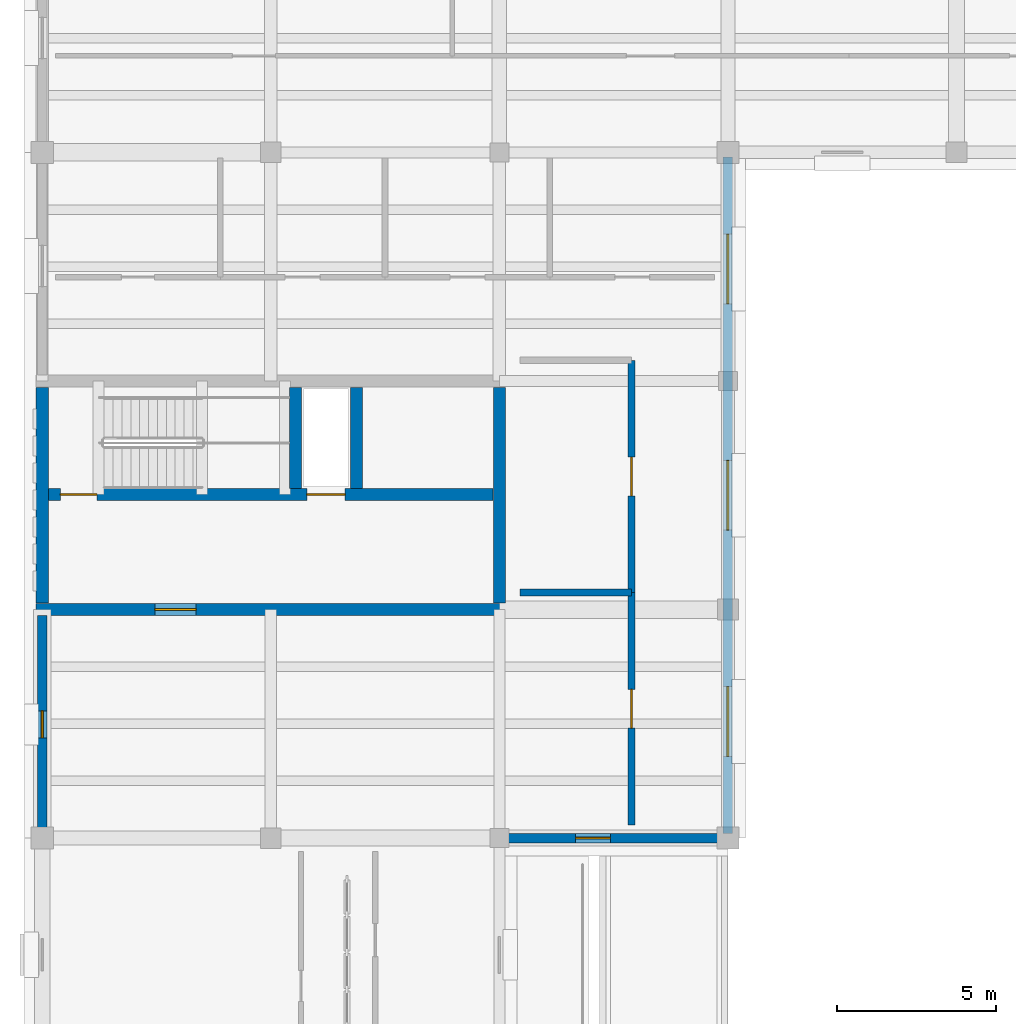
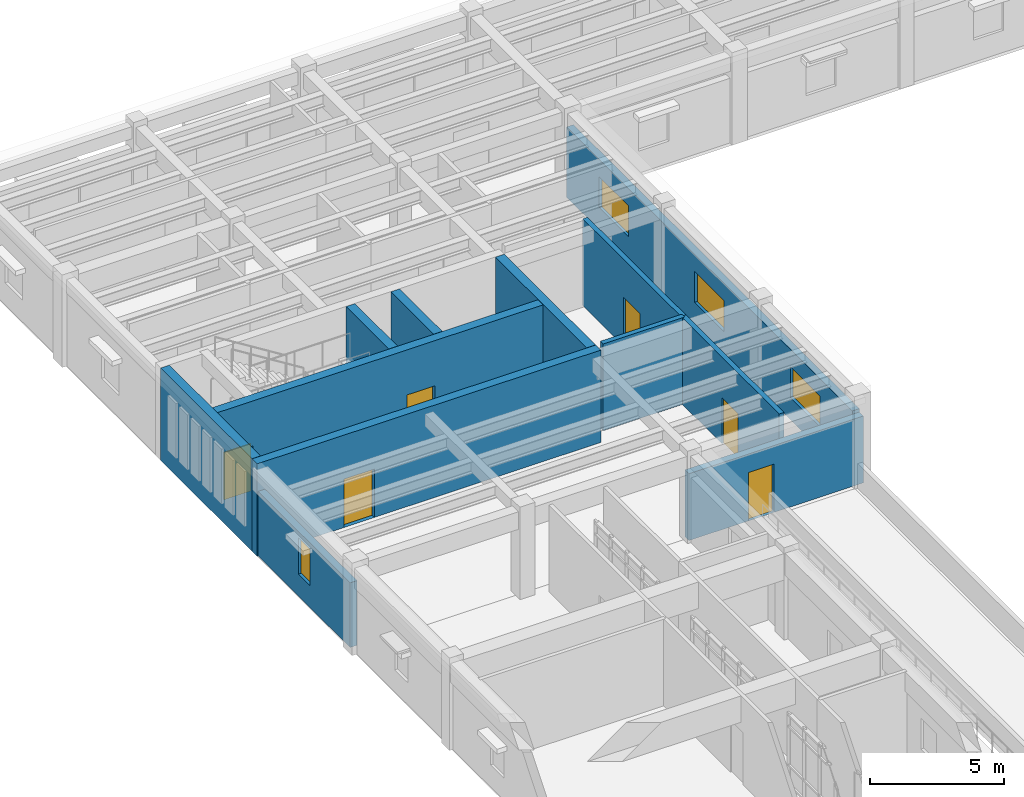
# One storey, part 20 of 40: 12 walls, 6 doors, 4 windows, 10 openings.
"""IFC4 building model written with IfcOpenShell, lengths in metres."""

from ifc_helpers import new_model, si_unit, direction, frame, frame_2d, origin, place, context, subcontext, project, spatial, rectangle, extrude, material, layer, layer_set, type_object, element, fill, save


model = new_model("IFC4")

# Units and contexts
model_context = context("Model", 3, precision=1e-05, world=origin(), true_north=direction((0.0, 1.0)))
body_context = subcontext(model_context, "Body", "Model", "MODEL_VIEW")
ifc_project = project(units=[si_unit("LENGTHUNIT", "METRE"), si_unit("AREAUNIT", "SQUARE_METRE"), si_unit("VOLUMEUNIT", "CUBIC_METRE"), si_unit("PLANEANGLEUNIT", "RADIAN"), si_unit("MASSUNIT", "GRAM", prefix="KILO")], contexts=[model_context])

# Site, building, storey
site_placement = place(None, origin())
site = spatial("IfcSite", under=ifc_project, at=site_placement, CompositionType="ELEMENT")
building_placement = place(site_placement, origin())
building = spatial("IfcBuilding", under=site, at=building_placement, Name="Mithqara Police Headquarters", CompositionType="ELEMENT")
storey_placement = place(building_placement, frame((0.0, 0.0, 13.800048828125)))
storey = spatial("IfcBuildingStorey", under=building, at=storey_placement, Name="L03", CompositionType="ELEMENT", Elevation=13.800048828125)

# Wall, opening, door
ifc_material_1 = material(Name="Ochre masonry cavity wall, 35 MPa", Category="masonry")
ifc_layer_1 = layer(ifc_material_1, 0.300048828125, Name="Ochre masonry cavity wall, 35 MPa")
ifc_layer_set_1 = layer_set([ifc_layer_1], Name="Ochre masonry cavity wall, 35 MPa")
wall_type_1 = type_object("IfcWallType", Name="EXT WALL OCHRE BRICK300", PredefinedType="SOLIDWALL", material=ifc_layer_set_1)
wall_1_placement = place(storey_placement, frame((22.050048828125, 57.0, 0.0), z_axis=(0.0, 0.0, 1.0), x_axis=(1.0, 0.0, 0.0)))
wall_1 = element("IfcWall", 1, at=wall_1_placement, inside=storey, type_object=wall_type_1, Name="L03 Exterior Wall 3.1", PredefinedType="SOLIDWALL", context=body_context, shape_type="SweptSolid", body=[
    extrude(rectangle(XDim=7.5, YDim=0.300048828125, at=frame_2d((3.75, 0.0))), origin(), (0.0, 0.0, 1.0), 3.0400390625),
])
opening_1_placement = place(wall_1_placement, frame((2.550048828125, 0.0, 0.0)))
opening_1 = element("IfcOpeningElement", 2, at=opening_1_placement, cuts=wall_1, Name="Opening TD-01", PredefinedType="OPENING", context=body_context, shape_type="SweptSolid", body=[
    extrude(rectangle(XDim=1.10009765625, YDim=2.199951171875, at=frame_2d((0.550048828125, 1.10009765625))), frame((0.0, 0.16015625, 0.0), z_axis=(0.0, -1.0, 0.0), x_axis=(1.0, 0.0, 0.0)), (0.0, 0.0, 1.0), 0.320068359375),
])
ifc_material_2 = material(Name="Bronze anodised aluminium 6063-T6", Category="aluminium")
door_type_1 = type_object("IfcDoorType", Name="EXT DOOR TERRACE 1100X2200", OperationType="NOTDEFINED", PredefinedType="DOOR", material=ifc_material_2)
door_1_placement = place(opening_1_placement, frame((1.10009765625, 0.0, 0.0), z_axis=(0.0, 0.0, 1.0), x_axis=(-1.0, 0.0, 0.0)))
door_1 = element("IfcDoor", 3, at=door_1_placement, inside=storey, type_object=door_type_1, Name="L03 Terrace Access Door TER-L03-W", OperationType="SINGLE_SWING_LEFT", OverallHeight=2.199951171875, OverallWidth=1.10009765625, PredefinedType="DOOR", context=body_context, shape_type="SweptSolid", body=[
    extrude(rectangle(XDim=1.10009765625, YDim=2.199951171875, at=frame_2d((0.550048828125, 1.10009765625))), frame((0.0, 0.02490234375, 0.0), z_axis=(0.0, -1.0, 0.0), x_axis=(1.0, 0.0, 0.0)), (0.0, 0.0, 1.0), 0.050048828125),
])
fill(opening_1, door_1)

# Wall, openings, windows
wall_2_placement = place(storey_placement, frame((29.39990234375, 57.14990234375, 0.0), z_axis=(0.0, 0.0, 1.0), x_axis=(0.0, 1.0, 0.0)))
wall_2 = element("IfcWall", 4, at=wall_2_placement, inside=storey, type_object=wall_type_1, Name="L03 Exterior Wall 4.1", PredefinedType="SOLIDWALL", context=body_context, shape_type="SweptSolid", body=[
    extrude(rectangle(XDim=21.300048828125, YDim=0.300048828125, at=frame_2d((10.64990234375, 0.0))), origin(), (0.0, 0.0, 1.0), 3.18994140625),
])
opening_2_placement = place(wall_2_placement, frame((2.425048828125, 0.0, 1.0)))
opening_2 = element("IfcOpeningElement", 5, at=opening_2_placement, cuts=wall_2, Name="Opening W-41", PredefinedType="OPENING", context=body_context, shape_type="SweptSolid", body=[
    extrude(rectangle(XDim=2.199951171875, YDim=1.39990234375, at=frame_2d((1.10009765625, 0.699951171875))), frame((0.0, 0.16015625, 0.0), z_axis=(0.0, -1.0, 0.0), x_axis=(1.0, 0.0, 0.0)), (0.0, 0.0, 1.0), 0.320068359375),
])
opening_3_placement = place(wall_2_placement, frame((9.550048828125, 0.0, 1.0)))
opening_3 = element("IfcOpeningElement", 6, at=opening_3_placement, cuts=wall_2, Name="Opening W-41", PredefinedType="OPENING", context=body_context, shape_type="SweptSolid", body=[
    extrude(rectangle(XDim=2.199951171875, YDim=1.39990234375, at=frame_2d((1.10009765625, 0.699951171875))), frame((0.0, 0.16015625, 0.0), z_axis=(0.0, -1.0, 0.0), x_axis=(1.0, 0.0, 0.0)), (0.0, 0.0, 1.0), 0.320068359375),
])
opening_4_placement = place(wall_2_placement, frame((16.675048828125, 0.0, 1.0)))
opening_4 = element("IfcOpeningElement", 7, at=opening_4_placement, cuts=wall_2, Name="Opening W-41", PredefinedType="OPENING", context=body_context, shape_type="SweptSolid", body=[
    extrude(rectangle(XDim=2.199951171875, YDim=1.39990234375, at=frame_2d((1.10009765625, 0.699951171875))), frame((0.0, 0.16015625, 0.0), z_axis=(0.0, -1.0, 0.0), x_axis=(1.0, 0.0, 0.0)), (0.0, 0.0, 1.0), 0.320068359375),
])
ifc_material_3 = material(Name="Spectrally selective double low-e glass", Category="glass")
window_type_1 = type_object("IfcWindowType", Name="WINDOW 2200X1400", PartitioningType="DOUBLE_PANEL_VERTICAL", PredefinedType="WINDOW", material=ifc_material_3)
window_1_placement = place(opening_2_placement, origin())
window_1 = element("IfcWindow", 8, at=window_1_placement, inside=storey, type_object=window_type_1, Name="L03 Deep-Set Punched Window 4.1", OverallHeight=1.39990234375, OverallWidth=2.199951171875, PartitioningType="SINGLE_PANEL", PredefinedType="WINDOW", context=body_context, shape_type="SweptSolid", body=[
    extrude(rectangle(XDim=2.199951171875, YDim=1.39990234375, at=frame_2d((1.10009765625, 0.699951171875))), frame((0.0, 0.030029296875, 0.0), z_axis=(0.0, -1.0, 0.0), x_axis=(1.0, 0.0, 0.0)), (0.0, 0.0, 1.0), 0.06005859375),
])
fill(opening_2, window_1)
window_2_placement = place(opening_3_placement, origin())
window_2 = element("IfcWindow", 9, at=window_2_placement, inside=storey, type_object=window_type_1, Name="L03 Deep-Set Punched Window 4.2", OverallHeight=1.39990234375, OverallWidth=2.199951171875, PartitioningType="SINGLE_PANEL", PredefinedType="WINDOW", context=body_context, shape_type="SweptSolid", body=[
    extrude(rectangle(XDim=2.199951171875, YDim=1.39990234375, at=frame_2d((1.10009765625, 0.699951171875))), frame((0.0, 0.030029296875, 0.0), z_axis=(0.0, -1.0, 0.0), x_axis=(1.0, 0.0, 0.0)), (0.0, 0.0, 1.0), 0.06005859375),
])
fill(opening_3, window_2)
window_3_placement = place(opening_4_placement, origin())
window_3 = element("IfcWindow", 10, at=window_3_placement, inside=storey, type_object=window_type_1, Name="L03 Deep-Set Punched Window 4.3", OverallHeight=1.39990234375, OverallWidth=2.199951171875, PartitioningType="SINGLE_PANEL", PredefinedType="WINDOW", context=body_context, shape_type="SweptSolid", body=[
    extrude(rectangle(XDim=2.199951171875, YDim=1.39990234375, at=frame_2d((1.10009765625, 0.699951171875))), frame((0.0, 0.030029296875, 0.0), z_axis=(0.0, -1.0, 0.0), x_axis=(1.0, 0.0, 0.0)), (0.0, 0.0, 1.0), 0.06005859375),
])
fill(opening_4, window_3)

# Wall, opening, window
wall_3_placement = place(storey_placement, frame((7.800048828125, 64.010009765625, 0.0), z_axis=(0.0, 0.0, 1.0), x_axis=(0.0, -1.0, 0.0)))
wall_3 = element("IfcWall", 11, at=wall_3_placement, inside=storey, type_object=wall_type_1, Name="L03 Exterior Wall 17.2", PredefinedType="SOLIDWALL", context=body_context, shape_type="SweptSolid", body=[
    extrude(rectangle(XDim=6.860107421875, YDim=0.300048828125, at=frame_2d((3.43017578125, 0.0))), origin(), (0.0, 0.0, 1.0), 2.93994140625),
])
opening_5_placement = place(wall_3_placement, frame((3.0048828125, 0.0, 1.0)))
opening_5 = element("IfcOpeningElement", 12, at=opening_5_placement, cuts=wall_3, Name="Opening W-02", PredefinedType="OPENING", context=body_context, shape_type="SweptSolid", body=[
    extrude(rectangle(XDim=0.85009765625, YDim=1.64990234375, at=frame_2d((0.425048828125, 0.824951171875))), frame((0.0, 0.16015625, 0.0), z_axis=(0.0, -1.0, 0.0), x_axis=(1.0, 0.0, 0.0)), (0.0, 0.0, 1.0), 0.320068359375),
])
window_type_2 = type_object("IfcWindowType", Name="WINDOW 850X1650", PartitioningType="SINGLE_PANEL", PredefinedType="WINDOW", material=ifc_material_3)
window_4_placement = place(opening_5_placement, origin())
window_4 = element("IfcWindow", 13, at=window_4_placement, inside=storey, type_object=window_type_2, Name="L03 Deep-Set Punched Window 17.1", OverallHeight=1.64990234375, OverallWidth=0.85009765625, PartitioningType="SINGLE_PANEL", PredefinedType="WINDOW", context=body_context, shape_type="SweptSolid", body=[
    extrude(rectangle(XDim=0.85009765625, YDim=1.64990234375, at=frame_2d((0.425048828125, 0.824951171875))), frame((0.0, 0.030029296875, 0.0), z_axis=(0.0, -1.0, 0.0), x_axis=(1.0, 0.0, 0.0)), (0.0, 0.0, 1.0), 0.06005859375),
])
fill(opening_5, window_4)

# Wall, opening, door
ifc_material_4 = material(Name="Concrete C40/50", Category="concrete")
ifc_layer_2 = layer(ifc_material_4, 0.2099609375, Name="Concrete C40/50")
ifc_layer_set_2 = layer_set([ifc_layer_2], Name="Concrete C40/50")
wall_type_2 = type_object("IfcWallType", Name="PART WALL 210", PredefinedType="PARTITIONING", material=ifc_layer_set_2)
wall_4_placement = place(storey_placement, frame((26.360107421875, 57.419921875, 0.0), z_axis=(0.0, 0.0, 1.0), x_axis=(0.0, 1.0, 0.0)))
wall_4 = element("IfcWall", 14, at=wall_4_placement, inside=storey, type_object=wall_type_2, Name="L03 Corridor Wall Simulation Training Room", PredefinedType="PARTITIONING", context=body_context, shape_type="SweptSolid", body=[
    extrude(rectangle(XDim=7.315185546875, YDim=0.2099609375, at=frame_2d((3.65771484375, 0.0))), origin(), (0.0, 0.0, 1.0), 3.93994140625),
])
opening_6_placement = place(wall_4_placement, frame((3.047607421875, 0.0, 0.0)))
opening_6 = element("IfcOpeningElement", 15, at=opening_6_placement, cuts=wall_4, Name="Opening D-13", PredefinedType="OPENING", context=body_context, shape_type="SweptSolid", body=[
    extrude(rectangle(XDim=1.219970703125, YDim=2.10009765625, at=frame_2d((0.60986328125, 1.050048828125))), frame((0.0, 0.114990234375, 0.0), z_axis=(0.0, -1.0, 0.0), x_axis=(1.0, 0.0, 0.0)), (0.0, 0.0, 1.0), 0.22998046875),
])
ifc_material_5 = material(Name="Acoustic solid-core timber leaf", Category="wood")
door_type_2 = type_object("IfcDoorType", Name="INT DOOR 1220X2100", OperationType="NOTDEFINED", PredefinedType="DOOR", material=ifc_material_5)
door_2_placement = place(opening_6_placement, frame((1.219970703125, 0.0, 0.0), z_axis=(0.0, 0.0, 1.0), x_axis=(-1.0, 0.0, 0.0)))
door_2 = element("IfcDoor", 16, at=door_2_placement, inside=storey, type_object=door_type_2, Name="Simulation Training Room Entry Door", OperationType="SINGLE_SWING_RIGHT", OverallHeight=2.10009765625, OverallWidth=1.219970703125, PredefinedType="DOOR", context=body_context, shape_type="SweptSolid", body=[
    extrude(rectangle(XDim=1.219970703125, YDim=2.10009765625, at=frame_2d((0.60986328125, 1.050048828125))), frame((0.0, 0.02490234375, 0.0), z_axis=(0.0, -1.0, 0.0), x_axis=(1.0, 0.0, 0.0)), (0.0, 0.0, 1.0), 0.050048828125),
])
fill(opening_6, door_2)

# Wall
wall_5_placement = place(storey_placement, frame((22.85009765625, 64.735107421875, 0.0), z_axis=(0.0, 0.0, 1.0), x_axis=(1.0, 0.0, 0.0)))
element("IfcWall", 17, at=wall_5_placement, inside=storey, type_object=wall_type_2, Name="L03 Room Partition Simulation Training Room", PredefinedType="PARTITIONING", context=body_context, shape_type="SweptSolid", body=[
    extrude(rectangle(XDim=3.510009765625, YDim=0.2099609375, at=frame_2d((1.7548828125, 0.0))), origin(), (0.0, 0.0, 1.0), 3.93994140625),
])

# Wall, opening, door
wall_6_placement = place(storey_placement, frame((26.360107421875, 64.735107421875, 0.0), z_axis=(0.0, 0.0, 1.0), x_axis=(0.0, 1.0, 0.0)))
wall_6 = element("IfcWall", 18, at=wall_6_placement, inside=storey, type_object=wall_type_2, Name="L03 Corridor Wall Law and Procedure Classroom", PredefinedType="PARTITIONING", context=body_context, shape_type="SweptSolid", body=[
    extrude(rectangle(XDim=7.31494140625, YDim=0.2099609375, at=frame_2d((3.657470703125, 0.0))), origin(), (0.0, 0.0, 1.0), 3.93994140625),
])
opening_7_placement = place(wall_6_placement, frame((3.047607421875, 0.0, 0.0)))
opening_7 = element("IfcOpeningElement", 19, at=opening_7_placement, cuts=wall_6, Name="Opening D-14", PredefinedType="OPENING", context=body_context, shape_type="SweptSolid", body=[
    extrude(rectangle(XDim=1.219970703125, YDim=2.219970703125, at=frame_2d((0.60986328125, 1.10986328125))), frame((0.0, 0.114990234375, 0.0), z_axis=(0.0, -1.0, 0.0), x_axis=(1.0, 0.0, 0.0)), (0.0, 0.0, 1.0), 0.22998046875),
])
door_type_3 = type_object("IfcDoorType", Name="INT DOOR 1220X2220", OperationType="NOTDEFINED", PredefinedType="DOOR", material=ifc_material_5)
door_3_placement = place(opening_7_placement, frame((1.219970703125, 0.0, 0.0), z_axis=(0.0, 0.0, 1.0), x_axis=(-1.0, 0.0, 0.0)))
door_3 = element("IfcDoor", 20, at=door_3_placement, inside=storey, type_object=door_type_3, Name="Law and Procedure Classroom Entry Door", OperationType="SINGLE_SWING_LEFT", OverallHeight=2.219970703125, OverallWidth=1.219970703125, PredefinedType="DOOR", context=body_context, shape_type="SweptSolid", body=[
    extrude(rectangle(XDim=1.219970703125, YDim=2.219970703125, at=frame_2d((0.60986328125, 1.10986328125))), frame((0.0, 0.02490234375, 0.0), z_axis=(0.0, -1.0, 0.0), x_axis=(1.0, 0.0, 0.0)), (0.0, 0.0, 1.0), 0.050048828125),
])
fill(opening_7, door_3)

ifc_material_6 = material(Name="Concrete C50/60", Category="concrete")
ifc_layer_3 = layer(ifc_material_6, 0.3798828125, Name="Concrete C50/60")
ifc_layer_set_3 = layer_set([ifc_layer_3], Name="Concrete C50/60")
wall_type_3 = type_object("IfcWallType", Name="SHEAR WALL 380", PredefinedType="SHEAR", material=ifc_layer_set_3)
wall_7_placement = place(storey_placement, frame((7.610107421875, 64.199951171875, 0.0), z_axis=(0.0, 0.0, 1.0), x_axis=(1.0, 0.0, 0.0)))
wall_7 = element("IfcWall", 21, at=wall_7_placement, inside=storey, type_object=wall_type_3, Name="Core C3 Operations West Shear Wall S", PredefinedType="SHEAR", context=body_context, shape_type="SweptSolid", body=[
    extrude(rectangle(XDim=14.77978515625, YDim=0.3798828125, at=frame_2d((7.389892578125, 0.0))), origin(), (0.0, 0.0, 1.0), 4.199951171875),
])
opening_8_placement = place(wall_7_placement, frame((3.739990234375, 0.0, 0.0)))
opening_8 = element("IfcOpeningElement", 22, at=opening_8_placement, cuts=wall_7, Name="Opening FD-02", PredefinedType="OPENING", context=body_context, shape_type="SweptSolid", body=[
    extrude(rectangle(XDim=1.300048828125, YDim=2.199951171875, at=frame_2d((0.64990234375, 1.10009765625))), frame((0.0, 0.199951171875, 0.0), z_axis=(0.0, -1.0, 0.0), x_axis=(1.0, 0.0, 0.0)), (0.0, 0.0, 1.0), 0.39990234375),
])
ifc_material_7 = material(Name="Steel S355JR", Category="steel")
door_type_4 = type_object("IfcDoorType", Name="CORE DOOR LOBBY 1300X2200", OperationType="NOTDEFINED", PredefinedType="DOOR", material=ifc_material_7)
door_4_placement = place(opening_8_placement, frame((1.300048828125, 0.0, 0.0), z_axis=(0.0, 0.0, 1.0), x_axis=(-1.0, 0.0, 0.0)))
door_4 = element("IfcDoor", 23, at=door_4_placement, inside=storey, type_object=door_type_4, Name="Core C3 Operations West Lobby Fire Door L03", OperationType="SINGLE_SWING_LEFT", OverallHeight=2.199951171875, OverallWidth=1.300048828125, PredefinedType="DOOR", context=body_context, shape_type="SweptSolid", body=[
    extrude(rectangle(XDim=1.300048828125, YDim=2.199951171875, at=frame_2d((0.64990234375, 1.10009765625))), frame((0.0, 0.02490234375, 0.0), z_axis=(0.0, -1.0, 0.0), x_axis=(1.0, 0.0, 0.0)), (0.0, 0.0, 1.0), 0.050048828125),
])
fill(opening_8, door_4)

# Walls
for number, where, z_axis, x_axis, name in (
    (24, (7.800048828125, 64.39990234375, 0.0), (0.0, 0.0, 1.0), (0.0, 1.0, 0.0), "Core C3 Operations West Shear Wall W"),
    (25, (22.199951171875, 64.39990234375, 0.0), (0.0, 0.0, 1.0), (0.0, 1.0, 0.0), "Core C3 Operations West Shear Wall E"),
):
    element("IfcWall", number, at=place(storey_placement, frame(where, z_axis=z_axis, x_axis=x_axis)), inside=storey, type_object=wall_type_3, Name=name, PredefinedType="SHEAR", context=body_context, shape_type="SweptSolid", body=[
        extrude(rectangle(XDim=6.800048828125, YDim=0.3798828125, at=frame_2d((3.39990234375, 0.0))), origin(), (0.0, 0.0, 1.0), 4.199951171875),
    ])

# Wall, openings, doors
wall_8_placement = place(storey_placement, frame((8.0, 67.820068359375, 0.0), z_axis=(0.0, 0.0, 1.0), x_axis=(1.0, 0.0, 0.0)))
wall_8 = element("IfcWall", 26, at=wall_8_placement, inside=storey, type_object=wall_type_3, Name="Core C3 Operations West Shear Wall M", PredefinedType="SHEAR", context=body_context, shape_type="SweptSolid", body=[
    extrude(rectangle(XDim=14.0, YDim=0.3798828125, at=frame_2d((7.0, 0.0))), origin(), (0.0, 0.0, 1.0), 4.199951171875),
])
opening_9_placement = place(wall_8_placement, frame((8.139892578125, 0.0, 0.0)))
opening_9 = element("IfcOpeningElement", 27, at=opening_9_placement, cuts=wall_8, Name="Opening LD-02", PredefinedType="OPENING", context=body_context, shape_type="SweptSolid", body=[
    extrude(rectangle(XDim=1.199951171875, YDim=2.14990234375, at=frame_2d((0.60009765625, 1.074951171875))), frame((0.0, 0.199951171875, 0.0), z_axis=(0.0, -1.0, 0.0), x_axis=(1.0, 0.0, 0.0)), (0.0, 0.0, 1.0), 0.39990234375),
])
opening_10_placement = place(wall_8_placement, frame((0.375, 0.0, 0.0)))
opening_10 = element("IfcOpeningElement", 28, at=opening_10_placement, cuts=wall_8, Name="Opening FD-01", PredefinedType="OPENING", context=body_context, shape_type="SweptSolid", body=[
    extrude(rectangle(XDim=1.14990234375, YDim=2.14990234375, at=frame_2d((0.574951171875, 1.074951171875))), frame((0.0, 0.199951171875, 0.0), z_axis=(0.0, -1.0, 0.0), x_axis=(1.0, 0.0, 0.0)), (0.0, 0.0, 1.0), 0.39990234375),
])
door_type_5 = type_object("IfcDoorType", Name="CORE DOOR STAIR 1150X2150", OperationType="NOTDEFINED", PredefinedType="DOOR", material=ifc_material_7)
door_5_placement = place(opening_10_placement, origin())
door_5 = element("IfcDoor", 29, at=door_5_placement, inside=storey, type_object=door_type_5, Name="Stair ST-03 Fire Door L03", OperationType="SINGLE_SWING_RIGHT", OverallHeight=2.14990234375, OverallWidth=1.14990234375, PredefinedType="DOOR", context=body_context, shape_type="SweptSolid", body=[
    extrude(rectangle(XDim=1.14990234375, YDim=2.14990234375, at=frame_2d((0.574951171875, 1.074951171875))), frame((0.0, 0.02490234375, 0.0), z_axis=(0.0, -1.0, 0.0), x_axis=(1.0, 0.0, 0.0)), (0.0, 0.0, 1.0), 0.050048828125),
])
fill(opening_10, door_5)
door_type_6 = type_object("IfcDoorType", Name="LIFT DOOR 1200X2150", OperationType="DOUBLE_DOOR_SLIDING", PredefinedType="DOOR", material=ifc_material_7)
door_6_placement = place(opening_9_placement, frame((1.199951171875, 0.0, 0.0), z_axis=(0.0, 0.0, 1.0), x_axis=(-1.0, 0.0, 0.0)))
door_6 = element("IfcDoor", 30, at=door_6_placement, inside=storey, type_object=door_type_6, Name="Lift Landing Door LP-05-L03", OperationType="DOUBLE_DOOR_SLIDING", OverallHeight=2.14990234375, OverallWidth=1.199951171875, PredefinedType="DOOR", context=body_context, shape_type="SweptSolid", body=[
    extrude(rectangle(XDim=1.199951171875, YDim=2.14990234375, at=frame_2d((0.60009765625, 1.074951171875))), frame((0.0, 0.02490234375, 0.0), z_axis=(0.0, -1.0, 0.0), x_axis=(1.0, 0.0, 0.0)), (0.0, 0.0, 1.0), 0.050048828125),
])
fill(opening_9, door_6)

# Walls
for number, where, z_axis, x_axis, name in (
    (31, (15.780029296875, 68.02001953125, 0.0), (0.0, 0.0, 1.0), (0.0, 1.0, 0.0), "Core C3 Operations West Shear Wall X"),
    (32, (17.699951171875, 68.02001953125, 0.0), (0.0, 0.0, 1.0), (0.0, 1.0, 0.0), "Core C3 Operations West Shear Wall L1"),
):
    element("IfcWall", number, at=place(storey_placement, frame(where, z_axis=z_axis, x_axis=x_axis)), inside=storey, type_object=wall_type_3, Name=name, PredefinedType="SHEAR", context=body_context, shape_type="SweptSolid", body=[
        extrude(rectangle(XDim=3.179931640625, YDim=0.3798828125, at=frame_2d((1.58984375, 0.0))), origin(), (0.0, 0.0, 1.0), 4.199951171875),
    ])

save(model, "model.ifc")
